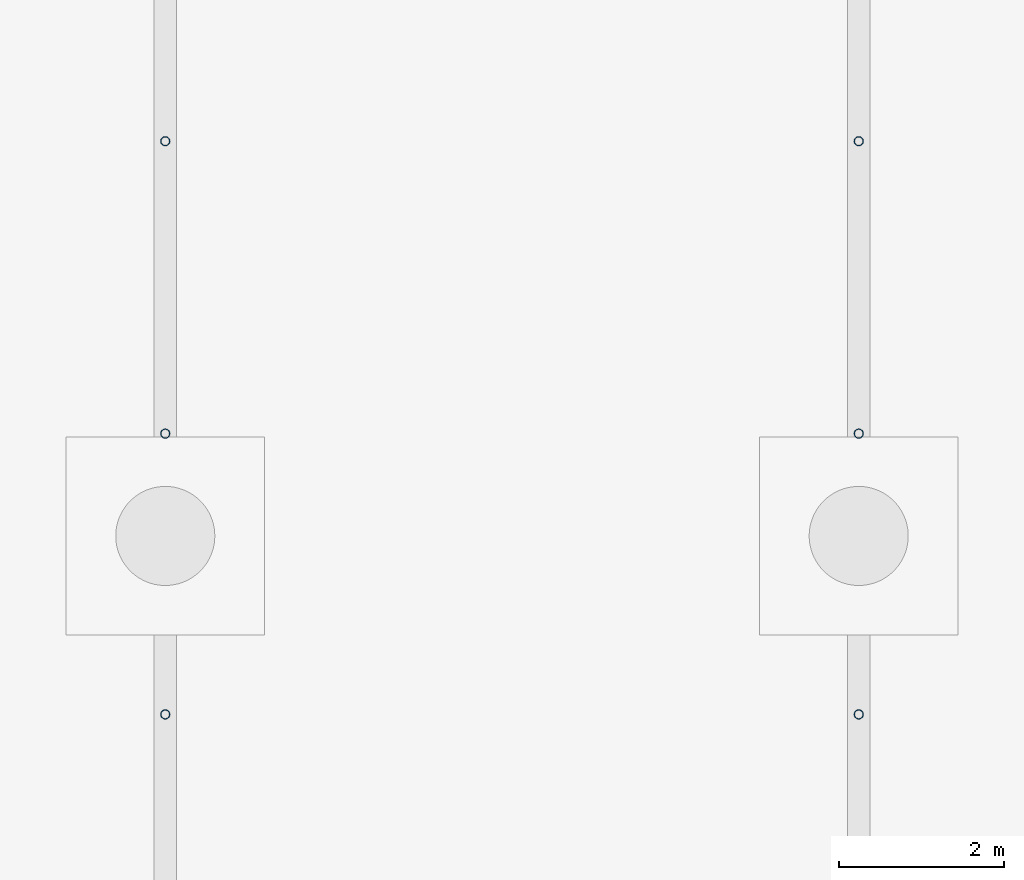
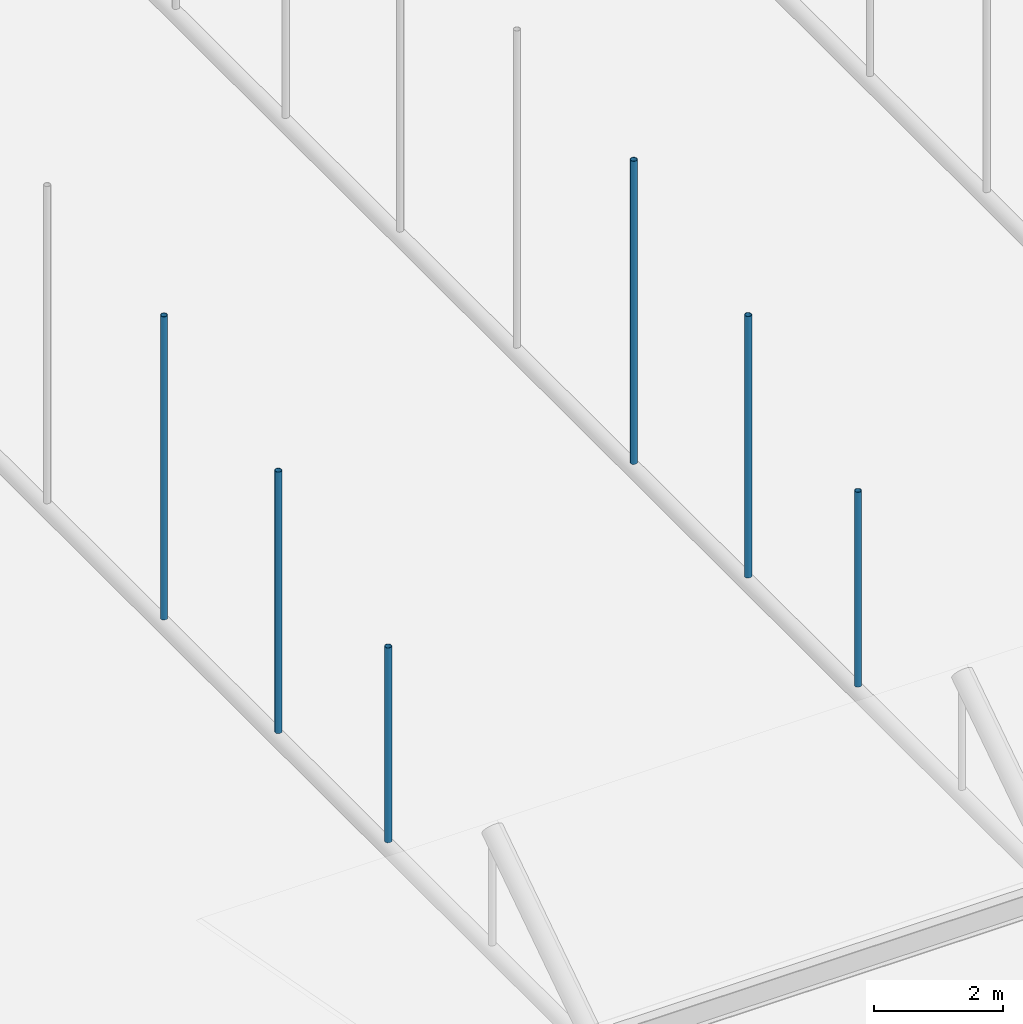
# One storey, part 41 of 212: 6 members.
"""IFC4 building model written with IfcOpenShell, lengths in metres."""

from ifc_helpers import new_model, si_unit, direction, frame, origin, origin_2d, place, context, subcontext, project, spatial, hollow_circle, extrude, material, material_profile, profile_set, type_object, element, save


model = new_model("IFC4")

# Units and contexts
model_context = context("Model", 3, precision=1e-05, world=origin(), true_north=direction((0.0, 1.0)))
body_context = subcontext(model_context, "Body", "Model", "MODEL_VIEW")
ifc_project = project(units=[si_unit("LENGTHUNIT", "METRE"), si_unit("AREAUNIT", "SQUARE_METRE"), si_unit("VOLUMEUNIT", "CUBIC_METRE"), si_unit("PLANEANGLEUNIT", "RADIAN"), si_unit("MASSUNIT", "GRAM", prefix="KILO")], contexts=[model_context])

# Site, building, storey
site_placement = place(None, origin())
site = spatial("IfcSite", under=ifc_project, at=site_placement, CompositionType="ELEMENT")
building_placement = place(site_placement, origin())
building = spatial("IfcBuilding", under=site, at=building_placement, Name="Catenary Quay Ferry Terminal", CompositionType="ELEMENT")
storey_placement = place(building_placement, origin())
storey = spatial("IfcBuildingStorey", under=building, at=storey_placement, Name="L00", CompositionType="ELEMENT", Elevation=0.0)

# Members
ifc_material = material(Name="Steel S355", Category="steel")
ifc_material_profile = material_profile(ifc_material, hollow_circle(Radius=0.05712890625, WallThickness=0.00634765625, at=origin_2d()), Name="CHS 114.3x6.3")
ifc_profile_set = profile_set([ifc_material_profile], Name="Steel S355")
member_type = type_object("IfcMemberType", Name="HG1 CHS 114.3x6.3", PredefinedType="POST", material=ifc_profile_set)
member_1_placement = place(storey_placement, frame((33.60009765625, 23.0380859375, 4.830078125), z_axis=(0.0, 0.0, 1.0), x_axis=(1.0, 0.0, 0.0)))
element("IfcMember", 1, at=member_1_placement, inside=storey, type_object=member_type, Name="Hanger CA-03-02", PredefinedType="POST", context=body_context, shape_type="SweptSolid", body=[
    extrude(hollow_circle(Radius=0.05712890625, WallThickness=0.00634765625, at=origin_2d()), origin(), (0.0, 0.0, 1.0), 3.681884765625),
])
member_2_placement = place(storey_placement, frame((33.60009765625, 26.43994140625, 4.830078125), z_axis=(0.0, 0.0, 1.0), x_axis=(1.0, 0.0, 0.0)))
element("IfcMember", 2, at=member_2_placement, inside=storey, type_object=member_type, Name="Hanger CA-03-03", PredefinedType="POST", context=body_context, shape_type="SweptSolid", body=[
    extrude(hollow_circle(Radius=0.05712890625, WallThickness=0.00634765625, at=origin_2d()), origin(), (0.0, 0.0, 1.0), 4.94287109375),
])
member_3_placement = place(storey_placement, frame((33.60009765625, 29.98193359375, 4.830078125), z_axis=(0.0, 0.0, 1.0), x_axis=(1.0, 0.0, 0.0)))
element("IfcMember", 3, at=member_3_placement, inside=storey, type_object=member_type, Name="Hanger CA-03-04", PredefinedType="POST", context=body_context, shape_type="SweptSolid", body=[
    extrude(hollow_circle(Radius=0.05712890625, WallThickness=0.00634765625, at=origin_2d()), origin(), (0.0, 0.0, 1.0), 5.72998046875),
])
member_4_placement = place(storey_placement, frame((42.0, 23.0380859375, 4.830078125), z_axis=(0.0, 0.0, 1.0), x_axis=(1.0, 0.0, 0.0)))
element("IfcMember", 4, at=member_4_placement, inside=storey, type_object=member_type, Name="Hanger CA-04-02", PredefinedType="POST", context=body_context, shape_type="SweptSolid", body=[
    extrude(hollow_circle(Radius=0.05712890625, WallThickness=0.00634765625, at=origin_2d()), origin(), (0.0, 0.0, 1.0), 3.681884765625),
])
member_5_placement = place(storey_placement, frame((42.0, 26.43994140625, 4.830078125), z_axis=(0.0, 0.0, 1.0), x_axis=(1.0, 0.0, 0.0)))
element("IfcMember", 5, at=member_5_placement, inside=storey, type_object=member_type, Name="Hanger CA-04-03", PredefinedType="POST", context=body_context, shape_type="SweptSolid", body=[
    extrude(hollow_circle(Radius=0.05712890625, WallThickness=0.00634765625, at=origin_2d()), origin(), (0.0, 0.0, 1.0), 4.94287109375),
])
member_6_placement = place(storey_placement, frame((42.0, 29.98193359375, 4.830078125), z_axis=(0.0, 0.0, 1.0), x_axis=(1.0, 0.0, 0.0)))
element("IfcMember", 6, at=member_6_placement, inside=storey, type_object=member_type, Name="Hanger CA-04-04", PredefinedType="POST", context=body_context, shape_type="SweptSolid", body=[
    extrude(hollow_circle(Radius=0.05712890625, WallThickness=0.00634765625, at=origin_2d()), origin(), (0.0, 0.0, 1.0), 5.72998046875),
])

save(model, "model.ifc")
